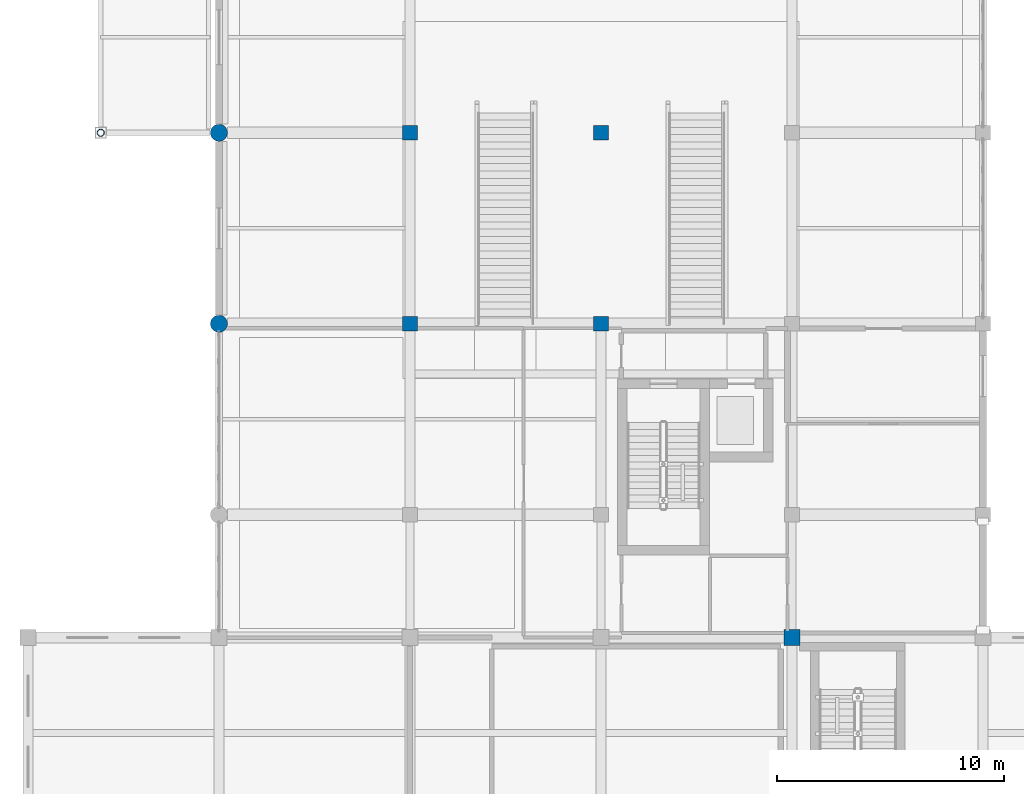
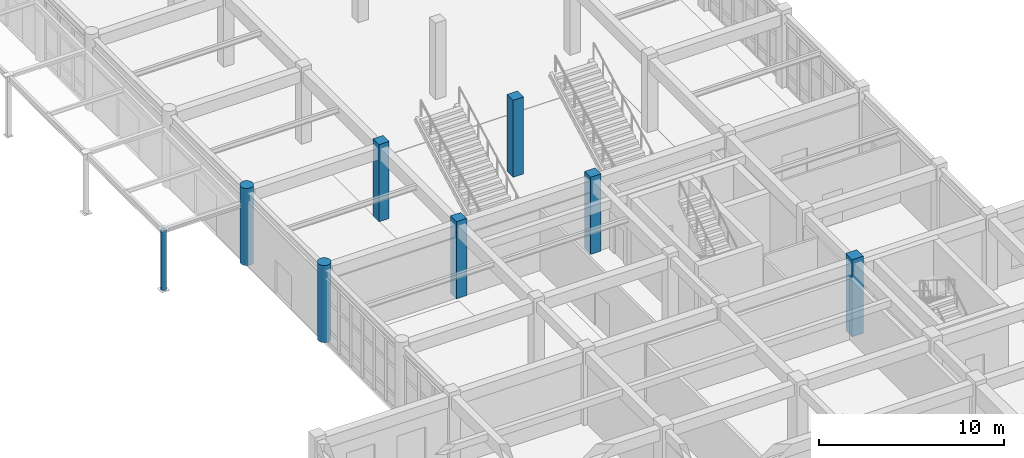
# One storey, part 6 of 80: 8 columns.
"""IFC4 building model written with IfcOpenShell, lengths in metres."""

from ifc_helpers import new_model, si_unit, direction, frame, origin, origin_2d, place, context, subcontext, project, spatial, rectangle, circle, hollow_circle, extrude, material, material_profile, profile_set, type_object, element, save


model = new_model("IFC4")

# Units and contexts
model_context = context("Model", 3, precision=1e-05, world=origin(), true_north=direction((0.0, 1.0)))
body_context = subcontext(model_context, "Body", "Model", "MODEL_VIEW")
ifc_project = project(units=[si_unit("LENGTHUNIT", "METRE"), si_unit("AREAUNIT", "SQUARE_METRE"), si_unit("VOLUMEUNIT", "CUBIC_METRE"), si_unit("PLANEANGLEUNIT", "RADIAN"), si_unit("MASSUNIT", "GRAM", prefix="KILO")], contexts=[model_context])

# Site, building, storey
site_placement = place(None, origin())
site = spatial("IfcSite", under=ifc_project, at=site_placement, CompositionType="ELEMENT")
building_placement = place(site_placement, origin())
building = spatial("IfcBuilding", under=site, at=building_placement, Name="Krzemoval Escarpment Law Courts", CompositionType="ELEMENT")
storey_placement = place(building_placement, origin())
storey = spatial("IfcBuildingStorey", under=building, at=storey_placement, Name="L00", CompositionType="ELEMENT", Elevation=0.0)

# Columns
ifc_material_1 = material(Name="Concrete C40/50", Category="concrete")
ifc_material_profile_1 = material_profile(ifc_material_1, rectangle(XDim=0.64990234375, YDim=0.64990234375, at=origin_2d()), Name="RC 650x650")
ifc_profile_set_1 = profile_set([ifc_material_profile_1], Name="Concrete C40/50")
column_type_1 = type_object("IfcColumnType", Name="COL-RC-650", PredefinedType="COLUMN", material=ifc_profile_set_1)
for number, where, z_axis, x_axis, name in (
    (1, (16.800048828125, 49.199951171875, 0.0), (0.0, 0.0, 1.0), (1.0, 0.0, 0.0), "Column FC-L00-0304"),
    (2, (16.800048828125, 57.60009765625, 0.0), (0.0, 0.0, 1.0), (1.0, 0.0, 0.0), "Column FC-L00-0305"),
    (3, (25.199951171875, 49.199951171875, 0.0), (0.0, 0.0, 1.0), (1.0, 0.0, 0.0), "Column FC-L00-0321"),
    (4, (25.199951171875, 57.60009765625, 0.0), (0.0, 0.0, 1.0), (1.0, 0.0, 0.0), "Column FC-L00-0322"),
):
    element("IfcColumn", number, at=place(storey_placement, frame(where, z_axis=z_axis, x_axis=x_axis)), inside=storey, type_object=column_type_1, Name=name, PredefinedType="COLUMN", context=body_context, shape_type="SweptSolid", body=[
        extrude(rectangle(XDim=0.64990234375, YDim=0.64990234375, at=origin_2d()), origin(), (0.0, 0.0, 1.0), 5.10009765625),
    ])
ifc_material_2 = material(Name="Concrete C40/50", Category="concrete")
ifc_material_profile_2 = material_profile(ifc_material_2, rectangle(XDim=0.699951171875, YDim=0.699951171875, at=origin_2d()), Name="RC 700x700")
ifc_profile_set_2 = profile_set([ifc_material_profile_2], Name="Concrete C40/50")
column_type_2 = type_object("IfcColumnType", Name="COL-RC-700", PredefinedType="COLUMN", material=ifc_profile_set_2)
column_1_placement = place(storey_placement, frame((33.60009765625, 35.39990234375, 0.0), z_axis=(0.0, 0.0, 1.0), x_axis=(1.0, 0.0, 0.0)))
element("IfcColumn", 5, at=column_1_placement, inside=storey, type_object=column_type_2, Name="Column FC-L00-0336", PredefinedType="COLUMN", context=body_context, shape_type="SweptSolid", body=[
    extrude(rectangle(XDim=0.699951171875, YDim=0.699951171875, at=origin_2d()), origin(), (0.0, 0.0, 1.0), 5.10009765625),
])
ifc_material_3 = material(Name="Concrete C40/50", Category="concrete")
ifc_material_profile_3 = material_profile(ifc_material_3, circle(Radius=0.375, at=origin_2d()), Name="RC D750")
ifc_profile_set_3 = profile_set([ifc_material_profile_3], Name="Concrete C40/50")
column_type_3 = type_object("IfcColumnType", Name="COL-RCD-750", PredefinedType="COLUMN", material=ifc_profile_set_3)
for number, where, z_axis, x_axis, name in (
    (6, (8.39990234375, 49.199951171875, 0.0), (0.0, 0.0, 1.0), (1.0, 0.0, 0.0), "Column FC-L00-0287"),
    (7, (8.39990234375, 57.60009765625, 0.0), (0.0, 0.0, 1.0), (1.0, 0.0, 0.0), "Column FC-L00-0288"),
):
    element("IfcColumn", number, at=place(storey_placement, frame(where, z_axis=z_axis, x_axis=x_axis)), inside=storey, type_object=column_type_3, Name=name, PredefinedType="COLUMN", context=body_context, shape_type="SweptSolid", body=[
        extrude(circle(Radius=0.375, at=origin_2d()), origin(), (0.0, 0.0, 1.0), 5.10009765625),
    ])
ifc_material_4 = material(Name="Steel S355", Category="steel")
ifc_material_profile_4 = material_profile(ifc_material_4, hollow_circle(Radius=0.161865234375, WallThickness=0.01611328125, at=origin_2d()), Name="CHS 323.9x16")
ifc_profile_set_4 = profile_set([ifc_material_profile_4], Name="Steel S355")
column_type_4 = type_object("IfcColumnType", Name="COL-S355-CHS324", PredefinedType="COLUMN", material=ifc_profile_set_4)
column_2_placement = place(storey_placement, frame((3.199951171875, 57.60009765625, 0.0), z_axis=(0.0, 0.0, 1.0), x_axis=(1.0, 0.0, 0.0)))
element("IfcColumn", 8, at=column_2_placement, inside=storey, type_object=column_type_4, Name="Steel Column SC-005", PredefinedType="COLUMN", context=body_context, shape_type="SweptSolid", body=[
    extrude(hollow_circle(Radius=0.161865234375, WallThickness=0.01611328125, at=origin_2d()), origin(), (0.0, 0.0, 1.0), 4.02001953125),
])

save(model, "model.ifc")
